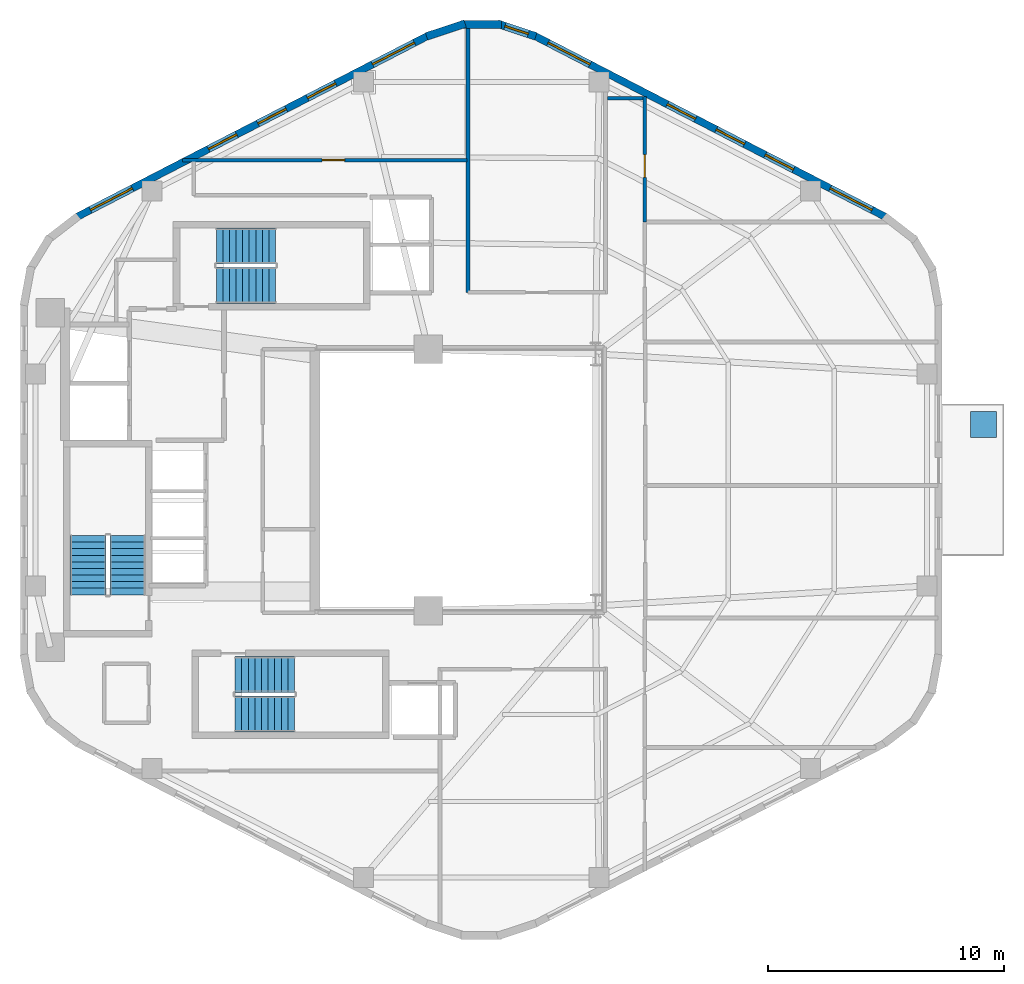
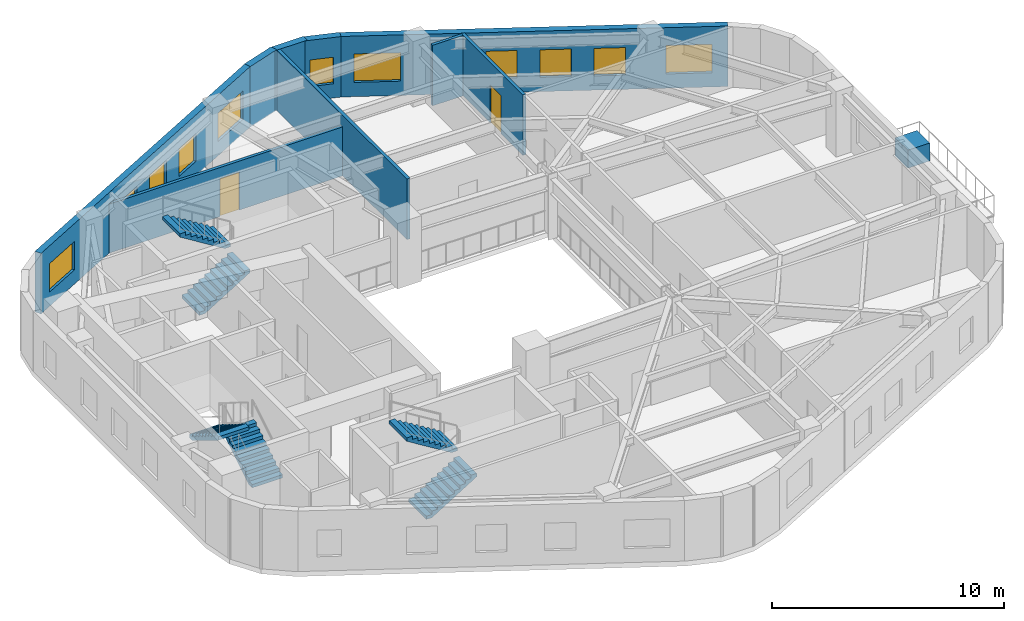
# One storey, part 5 of 7: 11 windows, 9 walls, 6 stair flights, 2 doors, 1 discrete accessory, 13 openings, 3 elements without a shape of their own.
"""IFC4 building model written with IfcOpenShell, lengths in metres."""

from ifc_helpers import new_model, si_unit, direction, frame, frame_2d, origin, origin_2d, place, context, subcontext, project, spatial, polyline, rectangle, outline, extrude, material, layer, layer_set, type_object, element, fill, aggregate, save


model = new_model("IFC4")

# Units and contexts
model_context = context("Model", 3, precision=1e-05, world=origin(), true_north=direction((0.0, 1.0)))
body_context = subcontext(model_context, "Body", "Model", "MODEL_VIEW")
ifc_project = project(units=[si_unit("LENGTHUNIT", "METRE"), si_unit("AREAUNIT", "SQUARE_METRE"), si_unit("VOLUMEUNIT", "CUBIC_METRE"), si_unit("PLANEANGLEUNIT", "RADIAN"), si_unit("MASSUNIT", "GRAM", prefix="KILO"), si_unit("THERMODYNAMICTEMPERATUREUNIT", "KELVIN"), si_unit("POWERUNIT", "WATT")], contexts=[model_context])

# Site, building, storey
site_placement = place(None, origin())
site = spatial("IfcSite", under=ifc_project, at=site_placement, CompositionType="ELEMENT")
building_placement = place(site_placement, origin())
building = spatial("IfcBuilding", under=site, at=building_placement, Name="Skarre Station Tower", CompositionType="ELEMENT")
storey_placement = place(building_placement, frame((0.0, 0.0, 213.699951171875)))
storey = spatial("IfcBuildingStorey", under=building, at=storey_placement, Name="L58", CompositionType="ELEMENT", Elevation=213.699951171875)

# Wall, opening, door
ifc_material_1 = material(Name="Acoustic Steel-Stud Gypsum Partition", Category="steel")
ifc_layer_1 = layer(ifc_material_1, 0.14990234375, Name="Acoustic Steel-Stud Gypsum Partition")
ifc_layer_set_1 = layer_set([ifc_layer_1], Name="Acoustic Steel-Stud Gypsum Partition")
wall_type_1 = type_object("IfcWallType", Name="Fire-Rated Corridor Acoustic Partition 150", PredefinedType="PARTITIONING", material=ifc_layer_set_1)
wall_1_placement = place(storey_placement, frame((34.0, 37.580078125, 0.0), z_axis=(0.0, 0.0, 1.0), x_axis=(-1.0, 0.0, 0.0)))
wall_1 = element("IfcWall", 1, at=wall_1_placement, inside=storey, type_object=wall_type_1, Name="L58 Interior Partition WL-PT-L58-NWW1-CW", PredefinedType="PARTITIONING", context=body_context, shape_type="SweptSolid", body=[
    extrude(rectangle(XDim=12.074951171875, YDim=0.14990234375, at=frame_2d((6.03759765625, 0.0))), origin(), (0.0, 0.0, 1.0), 2.58203125),
])
opening_1_placement = place(wall_1_placement, frame((5.195068359375, 0.0, 0.0)))
opening_1 = element("IfcOpeningElement", 2, at=opening_1_placement, cuts=wall_1, Name="Opening DR-FD60", PredefinedType="OPENING", context=body_context, shape_type="SweptSolid", body=[
    extrude(rectangle(XDim=0.9599609375, YDim=2.0, at=frame_2d((0.47998046875, 1.0))), frame((0.0, 0.0849609375, 0.0), z_axis=(0.0, -1.0, 0.0), x_axis=(1.0, 0.0, 0.0)), (0.0, 0.0, 1.0), 0.169921875),
])
ifc_material_2 = material(Name="Nordic White-Oak Veneer Solid-Core Fire Leaf", Category="wood")
door_type = type_object("IfcDoorType", Name="Corridor Suite Entry Fire Door FD60 960x2150", OperationType="SINGLE_SWING_LEFT", PredefinedType="DOOR", material=ifc_material_2)
door_1_placement = place(opening_1_placement, origin())
door_1 = element("IfcDoor", 3, at=door_1_placement, inside=storey, type_object=door_type, Name="L58 NWW1 Entry Door", OperationType="SINGLE_SWING_LEFT", OverallHeight=2.0, OverallWidth=0.9599609375, PredefinedType="DOOR", context=body_context, shape_type="SweptSolid", body=[
    extrude(rectangle(XDim=0.9599609375, YDim=2.0, at=frame_2d((0.47998046875, 1.0))), frame((0.0, 0.02490234375, 0.0), z_axis=(0.0, -1.0, 0.0), x_axis=(1.0, 0.0, 0.0)), (0.0, 0.0, 1.0), 0.050048828125),
])
fill(opening_1, door_1)

wall_2_placement = place(storey_placement, frame((41.5400390625, 40.27490234375, 0.0), z_axis=(0.0, 0.0, 1.0), x_axis=(0.0, -1.0, 0.0)))
wall_2 = element("IfcWall", 4, at=wall_2_placement, inside=storey, type_object=wall_type_1, Name="L58 Interior Partition WL-PT-L58-NW2-CW", PredefinedType="PARTITIONING", context=body_context, shape_type="SweptSolid", body=[
    extrude(rectangle(XDim=5.326904296875, YDim=0.14990234375, at=frame_2d((2.66357421875, 0.0))), origin(), (0.0, 0.0, 1.0), 3.18994140625),
])
opening_2_placement = place(wall_2_placement, frame((2.466064453125, 0.0, 0.0)))
opening_2 = element("IfcOpeningElement", 5, at=opening_2_placement, cuts=wall_2, Name="Opening DR-FD60", PredefinedType="OPENING", context=body_context, shape_type="SweptSolid", body=[
    extrude(rectangle(XDim=0.9599609375, YDim=2.0, at=frame_2d((0.47998046875, 1.0))), frame((0.0, 0.0849609375, 0.0), z_axis=(0.0, -1.0, 0.0), x_axis=(1.0, 0.0, 0.0)), (0.0, 0.0, 1.0), 0.169921875),
])
door_2_placement = place(opening_2_placement, origin())
door_2 = element("IfcDoor", 6, at=door_2_placement, inside=storey, type_object=door_type, Name="L58 NW2 Entry Door", OperationType="SINGLE_SWING_LEFT", OverallHeight=2.0, OverallWidth=0.9599609375, PredefinedType="DOOR", context=body_context, shape_type="SweptSolid", body=[
    extrude(rectangle(XDim=0.9599609375, YDim=2.0, at=frame_2d((0.47998046875, 1.0))), frame((0.0, 0.02490234375, 0.0), z_axis=(0.0, -1.0, 0.0), x_axis=(1.0, 0.0, 0.0)), (0.0, 0.0, 1.0), 0.050048828125),
])
fill(opening_2, door_2)

# Walls
wall_3_placement = place(storey_placement, frame((39.9580078125, 40.199951171875, 0.0), z_axis=(0.0, 0.0, 1.0), x_axis=(1.0, 0.0, 0.0)))
element("IfcWall", 7, at=wall_3_placement, inside=storey, type_object=wall_type_1, Name="L58 Interior Partition WL-PT-L58-CSEAL-3", PredefinedType="PARTITIONING", context=body_context, shape_type="SweptSolid", body=[
    extrude(rectangle(XDim=1.511962890625, YDim=0.14990234375, at=frame_2d((0.755859375, 0.0))), origin(), (0.0, 0.0, 1.0), 3.18994140625),
])
ifc_material_3 = material(Name="Precast concrete C45/55", Category="concrete")
ifc_layer_2 = layer(ifc_material_3, 0.330078125, Name="Precast concrete C45/55")
ifc_layer_set_2 = layer_set([ifc_layer_2], Name="Precast concrete C45/55")
wall_type_2 = type_object("IfcWallType", Name="Nordic Rounded Corner Precast Wall 330", PredefinedType="STANDARD", material=ifc_layer_set_2)
wall_4_placement = place(storey_placement, frame((32.281005859375, 42.83203125, 0.0), z_axis=(0.0, 0.0, 1.0), x_axis=(0.949937416267, 0.312440242569, 0.0)))
element("IfcWall", 8, at=wall_4_placement, inside=storey, type_object=wall_type_2, Name="L58 Rounded Corner Precast Wall F1-1", PredefinedType="STANDARD", context=body_context, shape_type="SweptSolid", body=[
    extrude(rectangle(XDim=1.72216796875, YDim=0.330078125, at=frame_2d((0.861083984375, 0.0))), origin(), (0.0, 0.0, 1.0), 3.18994140625),
])
wall_5_placement = place(storey_placement, frame((33.739013671875, 43.341064453125, 0.0), z_axis=(0.0, 0.0, 1.0), x_axis=(1.0, 0.0, 0.0)))
element("IfcWall", 9, at=wall_5_placement, inside=storey, type_object=wall_type_2, Name="L58 Rounded Corner Precast Wall F1-2", PredefinedType="STANDARD", context=body_context, shape_type="SweptSolid", body=[
    extrude(rectangle(XDim=1.721923828125, YDim=0.330078125, at=frame_2d((0.86083984375, 0.0))), origin(), (0.0, 0.0, 1.0), 3.18994140625),
])

# Wall, opening, window
wall_6_placement = place(storey_placement, frame((35.282958984375, 43.3701171875, 0.0), z_axis=(0.0, 0.0, 1.0), x_axis=(0.949937416267, -0.312440242569, 0.0)))
wall_6 = element("IfcWall", 10, at=wall_6_placement, inside=storey, type_object=wall_type_2, Name="L58 Rounded Corner Precast Wall F1-3", PredefinedType="STANDARD", context=body_context, shape_type="SweptSolid", body=[
    extrude(rectangle(XDim=1.72216796875, YDim=0.330078125, at=frame_2d((0.861083984375, 0.0))), origin(), (0.0, 0.0, 1.0), 3.18994140625),
])
opening_3_placement = place(wall_6_placement, frame((0.3359375, 0.0, 0.75)))
opening_3 = element("IfcOpeningElement", 11, at=opening_3_placement, cuts=wall_6, Name="Opening WN-SLT", PredefinedType="OPENING", context=body_context, shape_type="SweptSolid", body=[
    extrude(rectangle(XDim=1.050048828125, YDim=1.39990234375, at=frame_2d((0.52490234375, 0.699951171875))), frame((0.0, 0.175048828125, 0.0), z_axis=(0.0, -1.0, 0.0), x_axis=(1.0, 0.0, 0.0)), (0.0, 0.0, 1.0), 0.35009765625),
])
ifc_material_4 = material(Name="Low-Iron Triple Glazing with Bronze Anodized Frame", Category="glass")
window_type_1 = type_object("IfcWindowType", Name="Nordic Corner Slot Window 1050x1400", PartitioningType="SINGLE_PANEL", PredefinedType="WINDOW", material=ifc_material_4)
window_1_placement = place(opening_3_placement, origin())
window_1 = element("IfcWindow", 12, at=window_1_placement, inside=storey, type_object=window_type_1, Name="L58 Apex Corner Slot Window F1-3", OverallHeight=1.39990234375, OverallWidth=1.050048828125, PartitioningType="SINGLE_PANEL", PredefinedType="WINDOW", context=body_context, shape_type="SweptSolid", body=[
    extrude(rectangle(XDim=1.050048828125, YDim=1.39990234375, at=frame_2d((0.52490234375, 0.699951171875))), frame((0.0, 0.030029296875, 0.0), z_axis=(0.0, -1.0, 0.0), x_axis=(1.0, 0.0, 0.0)), (0.0, 0.0, 1.0), 0.06005859375),
])
fill(opening_3, window_1)

# Wall, openings, windows
ifc_layer_3 = layer(ifc_material_3, 0.31005859375, Name="Precast concrete C45/55")
ifc_layer_set_3 = layer_set([ifc_layer_3], Name="Precast concrete C45/55")
wall_type_3 = type_object("IfcWallType", Name="Nordic Upper-Zone Precast Facet Wall 310", PredefinedType="STANDARD", material=ifc_layer_set_3)
wall_7_placement = place(storey_placement, frame((36.837890625, 42.87109375, 0.0), z_axis=(0.0, 0.0, 1.0), x_axis=(0.888626188278, -0.458632202867, 0.0)))
wall_7 = element("IfcWall", 13, at=wall_7_placement, inside=storey, type_object=wall_type_3, Name="L58 Facet 0 Nordic Precast Masonry Wall", PredefinedType="STANDARD", context=body_context, shape_type="SweptSolid", body=[
    extrude(rectangle(XDim=16.828369140625, YDim=0.31005859375, at=frame_2d((8.4140625, 0.0))), origin(), (0.0, 0.0, 1.0), 3.18994140625),
])
opening_4_placement = place(wall_7_placement, frame((0.675048828125, 0.0, 0.75)))
opening_4 = element("IfcOpeningElement", 14, at=opening_4_placement, cuts=wall_7, Name="Opening WN-Z3A", PredefinedType="OPENING", context=body_context, shape_type="SweptSolid", body=[
    extrude(rectangle(XDim=2.0, YDim=1.5, at=frame_2d((1.0, 0.75))), frame((0.0, 0.1650390625, 0.0), z_axis=(0.0, -1.0, 0.0), x_axis=(1.0, 0.0, 0.0)), (0.0, 0.0, 1.0), 0.330078125),
])
opening_5_placement = place(wall_7_placement, frame((6.368896484375, 0.0, 0.75)))
opening_5 = element("IfcOpeningElement", 15, at=opening_5_placement, cuts=wall_7, Name="Opening WN-Z3B", PredefinedType="OPENING", context=body_context, shape_type="SweptSolid", body=[
    extrude(rectangle(XDim=1.35009765625, YDim=1.449951171875, at=frame_2d((0.675048828125, 0.72509765625))), frame((0.0, 0.1650390625, 0.0), z_axis=(0.0, -1.0, 0.0), x_axis=(1.0, 0.0, 0.0)), (0.0, 0.0, 1.0), 0.330078125),
])
opening_6_placement = place(wall_7_placement, frame((8.7099609375, 0.0, 0.75)))
opening_6 = element("IfcOpeningElement", 16, at=opening_6_placement, cuts=wall_7, Name="Opening WN-Z3B", PredefinedType="OPENING", context=body_context, shape_type="SweptSolid", body=[
    extrude(rectangle(XDim=1.35009765625, YDim=1.449951171875, at=frame_2d((0.675048828125, 0.72509765625))), frame((0.0, 0.1650390625, 0.0), z_axis=(0.0, -1.0, 0.0), x_axis=(1.0, 0.0, 0.0)), (0.0, 0.0, 1.0), 0.330078125),
])
opening_7_placement = place(wall_7_placement, frame((11.052001953125, 0.0, 0.75)))
opening_7 = element("IfcOpeningElement", 17, at=opening_7_placement, cuts=wall_7, Name="Opening WN-Z3B", PredefinedType="OPENING", context=body_context, shape_type="SweptSolid", body=[
    extrude(rectangle(XDim=1.35009765625, YDim=1.449951171875, at=frame_2d((0.675048828125, 0.72509765625))), frame((0.0, 0.1650390625, 0.0), z_axis=(0.0, -1.0, 0.0), x_axis=(1.0, 0.0, 0.0)), (0.0, 0.0, 1.0), 0.330078125),
])
opening_8_placement = place(wall_7_placement, frame((14.153076171875, 0.0, 0.75)))
opening_8 = element("IfcOpeningElement", 18, at=opening_8_placement, cuts=wall_7, Name="Opening WN-Z3A", PredefinedType="OPENING", context=body_context, shape_type="SweptSolid", body=[
    extrude(rectangle(XDim=2.0, YDim=1.5, at=frame_2d((1.0, 0.75))), frame((0.0, 0.1650390625, 0.0), z_axis=(0.0, -1.0, 0.0), x_axis=(1.0, 0.0, 0.0)), (0.0, 0.0, 1.0), 0.330078125),
])
window_type_2 = type_object("IfcWindowType", Name="Nordic Hospitality Narrow Window 1350x1450", PartitioningType="SINGLE_PANEL", PredefinedType="WINDOW", material=ifc_material_4)
window_2_placement = place(opening_5_placement, origin())
window_2 = element("IfcWindow", 19, at=window_2_placement, inside=storey, type_object=window_type_2, Name="L58 Facade Window WL-FAC-L58-F0-2", OverallHeight=1.449951171875, OverallWidth=1.35009765625, PartitioningType="SINGLE_PANEL", PredefinedType="WINDOW", context=body_context, shape_type="SweptSolid", body=[
    extrude(rectangle(XDim=1.35009765625, YDim=1.449951171875, at=frame_2d((0.675048828125, 0.72509765625))), frame((0.0, 0.030029296875, 0.0), z_axis=(0.0, -1.0, 0.0), x_axis=(1.0, 0.0, 0.0)), (0.0, 0.0, 1.0), 0.06005859375),
])
fill(opening_5, window_2)
window_3_placement = place(opening_6_placement, origin())
window_3 = element("IfcWindow", 20, at=window_3_placement, inside=storey, type_object=window_type_2, Name="L58 Facade Window WL-FAC-L58-F0-3", OverallHeight=1.449951171875, OverallWidth=1.35009765625, PartitioningType="SINGLE_PANEL", PredefinedType="WINDOW", context=body_context, shape_type="SweptSolid", body=[
    extrude(rectangle(XDim=1.35009765625, YDim=1.449951171875, at=frame_2d((0.675048828125, 0.72509765625))), frame((0.0, 0.030029296875, 0.0), z_axis=(0.0, -1.0, 0.0), x_axis=(1.0, 0.0, 0.0)), (0.0, 0.0, 1.0), 0.06005859375),
])
fill(opening_6, window_3)
window_4_placement = place(opening_7_placement, origin())
window_4 = element("IfcWindow", 21, at=window_4_placement, inside=storey, type_object=window_type_2, Name="L58 Facade Window WL-FAC-L58-F0-4", OverallHeight=1.449951171875, OverallWidth=1.35009765625, PartitioningType="SINGLE_PANEL", PredefinedType="WINDOW", context=body_context, shape_type="SweptSolid", body=[
    extrude(rectangle(XDim=1.35009765625, YDim=1.449951171875, at=frame_2d((0.675048828125, 0.72509765625))), frame((0.0, 0.030029296875, 0.0), z_axis=(0.0, -1.0, 0.0), x_axis=(1.0, 0.0, 0.0)), (0.0, 0.0, 1.0), 0.06005859375),
])
fill(opening_7, window_4)
window_type_3 = type_object("IfcWindowType", Name="Nordic Hospitality Window 2000x1500", PartitioningType="SINGLE_PANEL", PredefinedType="WINDOW", material=ifc_material_4)
window_5_placement = place(opening_4_placement, origin())
window_5 = element("IfcWindow", 22, at=window_5_placement, inside=storey, type_object=window_type_3, Name="L58 Facade Window WL-FAC-L58-F0-1", OverallHeight=1.5, OverallWidth=2.0, PartitioningType="SINGLE_PANEL", PredefinedType="WINDOW", context=body_context, shape_type="SweptSolid", body=[
    extrude(rectangle(XDim=2.0, YDim=1.5, at=frame_2d((1.0, 0.75))), frame((0.0, 0.030029296875, 0.0), z_axis=(0.0, -1.0, 0.0), x_axis=(1.0, 0.0, 0.0)), (0.0, 0.0, 1.0), 0.06005859375),
])
fill(opening_4, window_5)
window_6_placement = place(opening_8_placement, origin())
window_6 = element("IfcWindow", 23, at=window_6_placement, inside=storey, type_object=window_type_3, Name="L58 Facade Window WL-FAC-L58-F0-5", OverallHeight=1.5, OverallWidth=2.0, PartitioningType="SINGLE_PANEL", PredefinedType="WINDOW", context=body_context, shape_type="SweptSolid", body=[
    extrude(rectangle(XDim=2.0, YDim=1.5, at=frame_2d((1.0, 0.75))), frame((0.0, 0.030029296875, 0.0), z_axis=(0.0, -1.0, 0.0), x_axis=(1.0, 0.0, 0.0)), (0.0, 0.0, 1.0), 0.06005859375),
])
fill(opening_8, window_6)

wall_8_placement = place(storey_placement, frame((17.407958984375, 35.153076171875, 0.0), z_axis=(0.0, 0.0, 1.0), x_axis=(0.888626188278, 0.458632202867, 0.0)))
wall_8 = element("IfcWall", 24, at=wall_8_placement, inside=storey, type_object=wall_type_3, Name="L58 Facet 1 Nordic Precast Masonry Wall", PredefinedType="STANDARD", context=body_context, shape_type="SweptSolid", body=[
    extrude(rectangle(XDim=16.828369140625, YDim=0.31005859375, at=frame_2d((8.4140625, 0.0))), origin(), (0.0, 0.0, 1.0), 3.18994140625),
])
opening_9_placement = place(wall_8_placement, frame((0.675048828125, 0.0, 0.75)))
opening_9 = element("IfcOpeningElement", 25, at=opening_9_placement, cuts=wall_8, Name="Opening WN-Z3A", PredefinedType="OPENING", context=body_context, shape_type="SweptSolid", body=[
    extrude(rectangle(XDim=2.0, YDim=1.5, at=frame_2d((1.0, 0.75))), frame((0.0, 0.1650390625, 0.0), z_axis=(0.0, -1.0, 0.0), x_axis=(1.0, 0.0, 0.0)), (0.0, 0.0, 1.0), 0.330078125),
])
opening_10_placement = place(wall_8_placement, frame((6.31201171875, 0.0, 0.75)))
opening_10 = element("IfcOpeningElement", 26, at=opening_10_placement, cuts=wall_8, Name="Opening WN-Z3B", PredefinedType="OPENING", context=body_context, shape_type="SweptSolid", body=[
    extrude(rectangle(XDim=1.35009765625, YDim=1.449951171875, at=frame_2d((0.675048828125, 0.72509765625))), frame((0.0, 0.1650390625, 0.0), z_axis=(0.0, -1.0, 0.0), x_axis=(1.0, 0.0, 0.0)), (0.0, 0.0, 1.0), 0.330078125),
])
opening_11_placement = place(wall_8_placement, frame((8.676025390625, 0.0, 0.75)))
opening_11 = element("IfcOpeningElement", 27, at=opening_11_placement, cuts=wall_8, Name="Opening WN-Z3B", PredefinedType="OPENING", context=body_context, shape_type="SweptSolid", body=[
    extrude(rectangle(XDim=1.35009765625, YDim=1.449951171875, at=frame_2d((0.675048828125, 0.72509765625))), frame((0.0, 0.1650390625, 0.0), z_axis=(0.0, -1.0, 0.0), x_axis=(1.0, 0.0, 0.0)), (0.0, 0.0, 1.0), 0.330078125),
])
opening_12_placement = place(wall_8_placement, frame((11.041015625, 0.0, 0.75)))
opening_12 = element("IfcOpeningElement", 28, at=opening_12_placement, cuts=wall_8, Name="Opening WN-Z3B", PredefinedType="OPENING", context=body_context, shape_type="SweptSolid", body=[
    extrude(rectangle(XDim=1.35009765625, YDim=1.449951171875, at=frame_2d((0.675048828125, 0.72509765625))), frame((0.0, 0.1650390625, 0.0), z_axis=(0.0, -1.0, 0.0), x_axis=(1.0, 0.0, 0.0)), (0.0, 0.0, 1.0), 0.330078125),
])
opening_13_placement = place(wall_8_placement, frame((14.153076171875, 0.0, 0.75)))
opening_13 = element("IfcOpeningElement", 29, at=opening_13_placement, cuts=wall_8, Name="Opening WN-Z3A", PredefinedType="OPENING", context=body_context, shape_type="SweptSolid", body=[
    extrude(rectangle(XDim=2.0, YDim=1.5, at=frame_2d((1.0, 0.75))), frame((0.0, 0.1650390625, 0.0), z_axis=(0.0, -1.0, 0.0), x_axis=(1.0, 0.0, 0.0)), (0.0, 0.0, 1.0), 0.330078125),
])
window_7_placement = place(opening_10_placement, origin())
window_7 = element("IfcWindow", 30, at=window_7_placement, inside=storey, type_object=window_type_2, Name="L58 Facade Window WL-FAC-L58-F1-2", OverallHeight=1.449951171875, OverallWidth=1.35009765625, PartitioningType="SINGLE_PANEL", PredefinedType="WINDOW", context=body_context, shape_type="SweptSolid", body=[
    extrude(rectangle(XDim=1.35009765625, YDim=1.449951171875, at=frame_2d((0.675048828125, 0.72509765625))), frame((0.0, 0.030029296875, 0.0), z_axis=(0.0, -1.0, 0.0), x_axis=(1.0, 0.0, 0.0)), (0.0, 0.0, 1.0), 0.06005859375),
])
fill(opening_10, window_7)
window_8_placement = place(opening_11_placement, origin())
window_8 = element("IfcWindow", 31, at=window_8_placement, inside=storey, type_object=window_type_2, Name="L58 Facade Window WL-FAC-L58-F1-3", OverallHeight=1.449951171875, OverallWidth=1.35009765625, PartitioningType="SINGLE_PANEL", PredefinedType="WINDOW", context=body_context, shape_type="SweptSolid", body=[
    extrude(rectangle(XDim=1.35009765625, YDim=1.449951171875, at=frame_2d((0.675048828125, 0.72509765625))), frame((0.0, 0.030029296875, 0.0), z_axis=(0.0, -1.0, 0.0), x_axis=(1.0, 0.0, 0.0)), (0.0, 0.0, 1.0), 0.06005859375),
])
fill(opening_11, window_8)
window_9_placement = place(opening_12_placement, origin())
window_9 = element("IfcWindow", 32, at=window_9_placement, inside=storey, type_object=window_type_2, Name="L58 Facade Window WL-FAC-L58-F1-4", OverallHeight=1.449951171875, OverallWidth=1.35009765625, PartitioningType="SINGLE_PANEL", PredefinedType="WINDOW", context=body_context, shape_type="SweptSolid", body=[
    extrude(rectangle(XDim=1.35009765625, YDim=1.449951171875, at=frame_2d((0.675048828125, 0.72509765625))), frame((0.0, 0.030029296875, 0.0), z_axis=(0.0, -1.0, 0.0), x_axis=(1.0, 0.0, 0.0)), (0.0, 0.0, 1.0), 0.06005859375),
])
fill(opening_12, window_9)
window_10_placement = place(opening_9_placement, origin())
window_10 = element("IfcWindow", 33, at=window_10_placement, inside=storey, type_object=window_type_3, Name="L58 Facade Window WL-FAC-L58-F1-1", OverallHeight=1.5, OverallWidth=2.0, PartitioningType="SINGLE_PANEL", PredefinedType="WINDOW", context=body_context, shape_type="SweptSolid", body=[
    extrude(rectangle(XDim=2.0, YDim=1.5, at=frame_2d((1.0, 0.75))), frame((0.0, 0.030029296875, 0.0), z_axis=(0.0, -1.0, 0.0), x_axis=(1.0, 0.0, 0.0)), (0.0, 0.0, 1.0), 0.06005859375),
])
fill(opening_9, window_10)
window_11_placement = place(opening_13_placement, origin())
window_11 = element("IfcWindow", 34, at=window_11_placement, inside=storey, type_object=window_type_3, Name="L58 Facade Window WL-FAC-L58-F1-5", OverallHeight=1.5, OverallWidth=2.0, PartitioningType="SINGLE_PANEL", PredefinedType="WINDOW", context=body_context, shape_type="SweptSolid", body=[
    extrude(rectangle(XDim=2.0, YDim=1.5, at=frame_2d((1.0, 0.75))), frame((0.0, 0.030029296875, 0.0), z_axis=(0.0, -1.0, 0.0), x_axis=(1.0, 0.0, 0.0)), (0.0, 0.0, 1.0), 0.06005859375),
])
fill(opening_13, window_11)

# Wall
ifc_layer_4 = layer(ifc_material_1, 0.1650390625, Name="Acoustic Steel-Stud Gypsum Partition")
ifc_layer_set_4 = layer_set([ifc_layer_4], Name="Acoustic Steel-Stud Gypsum Partition")
wall_type_4 = type_object("IfcWallType", Name="Suite Demising Acoustic Partition 165", PredefinedType="PARTITIONING", material=ifc_layer_set_4)
wall_9_placement = place(storey_placement, frame((34.0400390625, 31.9599609375, 0.0), z_axis=(0.0, 0.0, 1.0), x_axis=(0.0, 1.0, 0.0)))
element("IfcWall", 35, at=wall_9_placement, inside=storey, type_object=wall_type_4, Name="L58 Interior Partition WL-PT-L58-NW-WBND", PredefinedType="PARTITIONING", context=body_context, shape_type="SweptSolid", body=[
    extrude(rectangle(XDim=11.3759765625, YDim=0.1650390625, at=frame_2d((5.68798828125, 0.0))), origin(), (0.0, 0.0, 1.0), 3.18994140625),
])

# Stair, stair flights
ifc_material_5 = material(Name="Concrete C40/50", Category="concrete")
stair_type_1 = type_object("IfcStairType", Name="Reinforced Concrete Exit Stair ST-1", PredefinedType="HALF_TURN_STAIR", material=ifc_material_5)
stair_1_placement = place(storey_placement, origin())
stair_1 = element("IfcStair", 36, at=stair_1_placement, inside=storey, type_object=stair_type_1, Name="L58 Core Exit Stair ST-1", PredefinedType="HALF_TURN_STAIR")
stair_flight_type_1 = type_object("IfcStairFlightType", Name="Reinforced Concrete Stair Flight ST-1", PredefinedType="STRAIGHT", material=ifc_material_5)
stair_flight_1_placement = place(storey_placement, frame((19.590087890625, 19.1201171875, 0.0), z_axis=(0.0, 0.0, 1.0), x_axis=(0.0, 1.0, 0.0)))
stair_flight_1 = element("IfcStairFlight", 37, at=stair_flight_1_placement, type_object=stair_flight_type_1, Name="ST-1 flight 1", NumberOfRisers=10, NumberOfTreads=9, PredefinedType="STRAIGHT", RiserHeight=0.1725, TreadLength=0.28, context=body_context, shape_type="SweptSolid", body=[
    extrude(outline(polyline([(0.0, 0.0), (0.0, 0.172607421875), (0.280029296875, 0.172607421875), (0.280029296875, 0.344970703125), (0.56005859375, 0.344970703125), (0.56005859375, 0.517578125), (0.840087890625, 0.517578125), (0.840087890625, 0.68994140625), (1.1201171875, 0.68994140625), (1.1201171875, 0.862548828125), (1.39990234375, 0.862548828125), (1.39990234375, 1.034912109375), (1.679931640625, 1.034912109375), (1.679931640625, 1.20751953125), (1.9599609375, 1.20751953125), (1.9599609375, 1.3798828125), (2.239990234375, 1.3798828125), (2.239990234375, 1.552490234375), (2.52001953125, 1.552490234375), (2.52001953125, 1.72509765625), (2.52001953125, 1.37646484375), (0.285888671875, 0.0), (0.0, 0.0)])), frame((0.0, 0.760009765625, 0.0), z_axis=(0.0, -1.0, 0.0), x_axis=(1.0, 0.0, 0.0)), (0.0, 0.0, 1.0), 1.52001953125),
])
stair_flight_2_placement = place(storey_placement, frame((17.909912109375, 21.639892578125, 1.72509765625), z_axis=(0.0, 0.0, 1.0), x_axis=(0.0, -1.0, 0.0)))
stair_flight_2 = element("IfcStairFlight", 38, at=stair_flight_2_placement, type_object=stair_flight_type_1, Name="ST-1 flight 2", NumberOfRisers=10, NumberOfTreads=9, PredefinedType="STRAIGHT", RiserHeight=0.1725, TreadLength=0.28, context=body_context, shape_type="SweptSolid", body=[
    extrude(outline(polyline([(0.0, 0.0), (0.0, 0.172607421875), (0.280029296875, 0.172607421875), (0.280029296875, 0.344970703125), (0.56005859375, 0.344970703125), (0.56005859375, 0.517578125), (0.840087890625, 0.517578125), (0.840087890625, 0.68994140625), (1.1201171875, 0.68994140625), (1.1201171875, 0.862548828125), (1.39990234375, 0.862548828125), (1.39990234375, 1.034912109375), (1.679931640625, 1.034912109375), (1.679931640625, 1.20751953125), (1.9599609375, 1.20751953125), (1.9599609375, 1.3798828125), (2.239990234375, 1.3798828125), (2.239990234375, 1.552490234375), (2.52001953125, 1.552490234375), (2.52001953125, 1.72509765625), (2.52001953125, 1.37646484375), (0.285888671875, 0.0), (0.0, 0.0)])), frame((0.0, 0.760009765625, 0.0), z_axis=(0.0, -1.0, 0.0), x_axis=(1.0, 0.0, 0.0)), (0.0, 0.0, 1.0), 1.52001953125),
])
aggregate(stair_1, [stair_flight_1, stair_flight_2])

stair_type_2 = type_object("IfcStairType", Name="Reinforced Concrete Exit Stair ST-2", PredefinedType="HALF_TURN_STAIR", material=ifc_material_5)
stair_2_placement = place(storey_placement, origin())
stair_2 = element("IfcStair", 39, at=stair_2_placement, inside=storey, type_object=stair_type_2, Name="L58 Core Exit Stair ST-2", PredefinedType="HALF_TURN_STAIR")
stair_flight_type_2 = type_object("IfcStairFlightType", Name="Reinforced Concrete Stair Flight ST-2", PredefinedType="STRAIGHT", material=ifc_material_5)
stair_flight_3_placement = place(storey_placement, frame((24.14990234375, 14.06005859375, 0.0), z_axis=(0.0, 0.0, 1.0), x_axis=(1.0, 0.0, 0.0)))
stair_flight_3 = element("IfcStairFlight", 40, at=stair_flight_3_placement, type_object=stair_flight_type_2, Name="ST-2 flight 1", NumberOfRisers=10, NumberOfTreads=9, PredefinedType="STRAIGHT", RiserHeight=0.1725, TreadLength=0.28, context=body_context, shape_type="SweptSolid", body=[
    extrude(outline(polyline([(0.0, 0.0), (0.0, 0.172607421875), (0.280029296875, 0.172607421875), (0.280029296875, 0.344970703125), (0.56005859375, 0.344970703125), (0.56005859375, 0.517578125), (0.840087890625, 0.517578125), (0.840087890625, 0.68994140625), (1.1201171875, 0.68994140625), (1.1201171875, 0.862548828125), (1.39990234375, 0.862548828125), (1.39990234375, 1.034912109375), (1.679931640625, 1.034912109375), (1.679931640625, 1.20751953125), (1.9599609375, 1.20751953125), (1.9599609375, 1.3798828125), (2.239990234375, 1.3798828125), (2.239990234375, 1.552490234375), (2.52001953125, 1.552490234375), (2.52001953125, 1.72509765625), (2.52001953125, 1.37646484375), (0.285888671875, 0.0), (0.0, 0.0)])), frame((0.0, 0.760009765625, 0.0), z_axis=(0.0, -1.0, 0.0), x_axis=(1.0, 0.0, 0.0)), (0.0, 0.0, 1.0), 1.52001953125),
])
stair_flight_4_placement = place(storey_placement, frame((26.669921875, 15.739990234375, 1.72509765625), z_axis=(0.0, 0.0, 1.0), x_axis=(-1.0, 0.0, 0.0)))
stair_flight_4 = element("IfcStairFlight", 41, at=stair_flight_4_placement, type_object=stair_flight_type_2, Name="ST-2 flight 2", NumberOfRisers=10, NumberOfTreads=9, PredefinedType="STRAIGHT", RiserHeight=0.1725, TreadLength=0.28, context=body_context, shape_type="SweptSolid", body=[
    extrude(outline(polyline([(0.0, 0.0), (0.0, 0.172607421875), (0.280029296875, 0.172607421875), (0.280029296875, 0.344970703125), (0.56005859375, 0.344970703125), (0.56005859375, 0.517578125), (0.840087890625, 0.517578125), (0.840087890625, 0.68994140625), (1.1201171875, 0.68994140625), (1.1201171875, 0.862548828125), (1.39990234375, 0.862548828125), (1.39990234375, 1.034912109375), (1.679931640625, 1.034912109375), (1.679931640625, 1.20751953125), (1.9599609375, 1.20751953125), (1.9599609375, 1.3798828125), (2.239990234375, 1.3798828125), (2.239990234375, 1.552490234375), (2.52001953125, 1.552490234375), (2.52001953125, 1.72509765625), (2.52001953125, 1.37646484375), (0.285888671875, 0.0), (0.0, 0.0)])), frame((0.0, 0.760009765625, 0.0), z_axis=(0.0, -1.0, 0.0), x_axis=(1.0, 0.0, 0.0)), (0.0, 0.0, 1.0), 1.52001953125),
])
aggregate(stair_2, [stair_flight_3, stair_flight_4])

stair_type_3 = type_object("IfcStairType", Name="Reinforced Concrete Exit Stair ST-3", PredefinedType="HALF_TURN_STAIR", material=ifc_material_5)
stair_3_placement = place(storey_placement, origin())
stair_3 = element("IfcStair", 42, at=stair_3_placement, inside=storey, type_object=stair_type_3, Name="L58 Core Exit Stair ST-3", PredefinedType="HALF_TURN_STAIR")
stair_flight_type_3 = type_object("IfcStairFlightType", Name="Reinforced Concrete Stair Flight ST-3", PredefinedType="STRAIGHT", material=ifc_material_5)
stair_flight_5_placement = place(storey_placement, frame((23.35009765625, 32.260009765625, 0.0), z_axis=(0.0, 0.0, 1.0), x_axis=(1.0, 0.0, 0.0)))
stair_flight_5 = element("IfcStairFlight", 43, at=stair_flight_5_placement, type_object=stair_flight_type_3, Name="ST-3 flight 1", NumberOfRisers=10, NumberOfTreads=9, PredefinedType="STRAIGHT", RiserHeight=0.1725, TreadLength=0.28, context=body_context, shape_type="SweptSolid", body=[
    extrude(outline(polyline([(0.0, 0.0), (0.0, 0.172607421875), (0.280029296875, 0.172607421875), (0.280029296875, 0.344970703125), (0.56005859375, 0.344970703125), (0.56005859375, 0.517578125), (0.840087890625, 0.517578125), (0.840087890625, 0.68994140625), (1.1201171875, 0.68994140625), (1.1201171875, 0.862548828125), (1.39990234375, 0.862548828125), (1.39990234375, 1.034912109375), (1.679931640625, 1.034912109375), (1.679931640625, 1.20751953125), (1.9599609375, 1.20751953125), (1.9599609375, 1.3798828125), (2.239990234375, 1.3798828125), (2.239990234375, 1.552490234375), (2.52001953125, 1.552490234375), (2.52001953125, 1.72509765625), (2.52001953125, 1.37646484375), (0.285888671875, 0.0), (0.0, 0.0)])), frame((0.0, 0.760009765625, 0.0), z_axis=(0.0, -1.0, 0.0), x_axis=(1.0, 0.0, 0.0)), (0.0, 0.0, 1.0), 1.52001953125),
])
stair_flight_6_placement = place(storey_placement, frame((25.8701171875, 33.93994140625, 1.72509765625), z_axis=(0.0, 0.0, 1.0), x_axis=(-1.0, 0.0, 0.0)))
stair_flight_6 = element("IfcStairFlight", 44, at=stair_flight_6_placement, type_object=stair_flight_type_3, Name="ST-3 flight 2", NumberOfRisers=10, NumberOfTreads=9, PredefinedType="STRAIGHT", RiserHeight=0.1725, TreadLength=0.28, context=body_context, shape_type="SweptSolid", body=[
    extrude(outline(polyline([(0.0, 0.0), (0.0, 0.172607421875), (0.280029296875, 0.172607421875), (0.280029296875, 0.344970703125), (0.56005859375, 0.344970703125), (0.56005859375, 0.517578125), (0.840087890625, 0.517578125), (0.840087890625, 0.68994140625), (1.1201171875, 0.68994140625), (1.1201171875, 0.862548828125), (1.39990234375, 0.862548828125), (1.39990234375, 1.034912109375), (1.679931640625, 1.034912109375), (1.679931640625, 1.20751953125), (1.9599609375, 1.20751953125), (1.9599609375, 1.3798828125), (2.239990234375, 1.3798828125), (2.239990234375, 1.552490234375), (2.52001953125, 1.552490234375), (2.52001953125, 1.72509765625), (2.52001953125, 1.37646484375), (0.285888671875, 0.0), (0.0, 0.0)])), frame((0.0, 0.760009765625, 0.0), z_axis=(0.0, -1.0, 0.0), x_axis=(1.0, 0.0, 0.0)), (0.0, 0.0, 1.0), 1.52001953125),
])
aggregate(stair_3, [stair_flight_5, stair_flight_6])

# Discrete accessory
discrete_accessory_type = type_object("IfcDiscreteAccessoryType", Name="Insulated Precast Tree Planter Trough 1100x1100x950", PredefinedType="USERDEFINED", material=ifc_material_3)
discrete_accessory_placement = place(storey_placement, frame((55.922119140625, 26.35009765625, 0.0), z_axis=(0.0, 0.0, 1.0), x_axis=(1.0, 0.0, 0.0)))
element("IfcDiscreteAccessory", 45, at=discrete_accessory_placement, inside=storey, type_object=discrete_accessory_type, Name="L58 TB-L58-F5 Insulated Precast Tree Planter Trough", ObjectType="PLANTER", PredefinedType="USERDEFINED", context=body_context, shape_type="SweptSolid", body=[
    extrude(rectangle(XDim=1.10009765625, YDim=1.10009765625, at=origin_2d()), origin(), (0.0, 0.0, 1.0), 0.949951171875),
])

save(model, "model.ifc")
